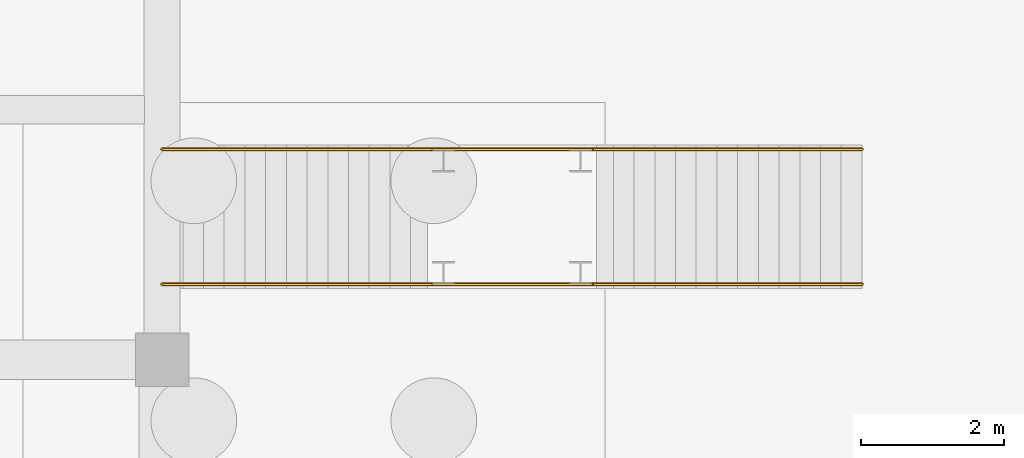
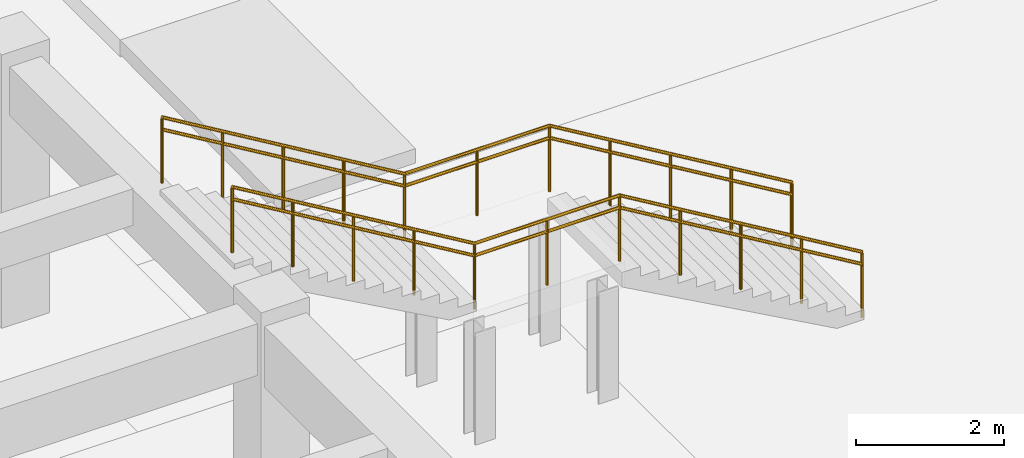
# One storey, part 83 of 84: 4 railings.
"""IFC4 building model written with IfcOpenShell, lengths in metres."""

from ifc_helpers import new_model, si_unit, direction, frame, origin, origin_2d, place, context, subcontext, project, spatial, circle, extrude, material, type_object, element, save


model = new_model("IFC4")

# Units and contexts
model_context = context("Model", 3, precision=1e-05, world=origin(), true_north=direction((0.0, 1.0)))
body_context = subcontext(model_context, "Body", "Model", "MODEL_VIEW")
ifc_project = project(units=[si_unit("LENGTHUNIT", "METRE"), si_unit("AREAUNIT", "SQUARE_METRE"), si_unit("VOLUMEUNIT", "CUBIC_METRE"), si_unit("PLANEANGLEUNIT", "RADIAN"), si_unit("MASSUNIT", "GRAM", prefix="KILO")], contexts=[model_context])

# Site, building, storey
site_placement = place(None, origin())
site = spatial("IfcSite", under=ifc_project, at=site_placement, CompositionType="ELEMENT")
building_placement = place(site_placement, origin())
building = spatial("IfcBuilding", under=site, at=building_placement, Name="Larkveld Mobility Hub", CompositionType="ELEMENT")
storey_placement = place(building_placement, origin())
storey = spatial("IfcBuildingStorey", under=building, at=storey_placement, Name="L00", CompositionType="ELEMENT", Elevation=0.0)

# Railings
ifc_material_1 = material(Name="Galvanized Steel S355JR balustrade", Category="steel")
railing_type_1 = type_object("IfcRailingType", Name="RL-GRD-1100", PredefinedType="GUARDRAIL", material=ifc_material_1)
railing_1_placement = place(storey_placement, frame((161.800048828125, 107.945068359375, 0.0)))
element("IfcRailing", 1, at=railing_1_placement, inside=storey, type_object=railing_type_1, Name="Taxi Concourse North Straight Stair FS6 Guard L", PredefinedType="GUARDRAIL", context=body_context, shape_type="SweptSolid", body=[
    extrude(circle(Radius=0.02392578125, at=origin_2d()), frame((0.0, 0.0, 1.076171875), z_axis=(-0.858697585051, 0.0, 0.512482641098), x_axis=(0.0, -1.0, 0.0)), (0.0, 0.0, 1.0), 4.390380859375),
    extrude(circle(Radius=0.02392578125, at=origin_2d()), frame((-3.77001953125, 0.0, 3.326171875), z_axis=(-1.0, 0.0, 0.0), x_axis=(0.0, -1.0, 0.0)), (0.0, 0.0, 1.0), 2.260009765625),
    extrude(circle(Radius=0.02392578125, at=origin_2d()), frame((-6.030029296875, 0.0, 3.326171875), z_axis=(-0.858697585051, 0.0, 0.512482641098), x_axis=(0.0, -1.0, 0.0)), (0.0, 0.0, 1.0), 4.390380859375),
    extrude(circle(Radius=0.02099609375, at=origin_2d()), origin(), (0.0, 0.0, 1.0), 1.052001953125),
    extrude(circle(Radius=0.02099609375, at=origin_2d()), frame((-0.9423828125, 0.0, 0.5625)), (0.0, 0.0, 1.0), 1.052001953125),
    extrude(circle(Radius=0.02099609375, at=origin_2d()), frame((-1.885009765625, 0.0, 1.125)), (0.0, 0.0, 1.0), 1.052001953125),
    extrude(circle(Radius=0.02099609375, at=origin_2d()), frame((-2.82763671875, 0.0, 1.6875)), (0.0, 0.0, 1.0), 1.052001953125),
    extrude(circle(Radius=0.02099609375, at=origin_2d()), frame((-3.77001953125, 0.0, 2.25)), (0.0, 0.0, 1.0), 1.052001953125),
    extrude(circle(Radius=0.02099609375, at=origin_2d()), frame((-4.89990234375, 0.0, 2.25)), (0.0, 0.0, 1.0), 1.052001953125),
    extrude(circle(Radius=0.02099609375, at=origin_2d()), frame((-6.030029296875, 0.0, 2.25)), (0.0, 0.0, 1.0), 1.052001953125),
    extrude(circle(Radius=0.02099609375, at=origin_2d()), frame((-6.97265625, 0.0, 2.8125)), (0.0, 0.0, 1.0), 1.052001953125),
    extrude(circle(Radius=0.02099609375, at=origin_2d()), frame((-7.9150390625, 0.0, 3.375)), (0.0, 0.0, 1.0), 1.052001953125),
    extrude(circle(Radius=0.02099609375, at=origin_2d()), frame((-8.857421875, 0.0, 3.9375)), (0.0, 0.0, 1.0), 1.052001953125),
    extrude(circle(Radius=0.02099609375, at=origin_2d()), frame((-9.800048828125, 0.0, 4.5)), (0.0, 0.0, 1.0), 1.052001953125),
])
railing_2_placement = place(storey_placement, frame((161.800048828125, 106.054931640625, 0.0)))
element("IfcRailing", 2, at=railing_2_placement, inside=storey, type_object=railing_type_1, Name="Taxi Concourse North Straight Stair FS6 Guard R", PredefinedType="GUARDRAIL", context=body_context, shape_type="SweptSolid", body=[
    extrude(circle(Radius=0.02392578125, at=origin_2d()), frame((0.0, 0.0, 1.076171875), z_axis=(-0.858697585051, 0.0, 0.512482641098), x_axis=(0.0, -1.0, 0.0)), (0.0, 0.0, 1.0), 4.390380859375),
    extrude(circle(Radius=0.02392578125, at=origin_2d()), frame((-3.77001953125, 0.0, 3.326171875), z_axis=(-1.0, 0.0, 0.0), x_axis=(0.0, -1.0, 0.0)), (0.0, 0.0, 1.0), 2.260009765625),
    extrude(circle(Radius=0.02392578125, at=origin_2d()), frame((-6.030029296875, 0.0, 3.326171875), z_axis=(-0.858697585051, 0.0, 0.512482641098), x_axis=(0.0, -1.0, 0.0)), (0.0, 0.0, 1.0), 4.390380859375),
    extrude(circle(Radius=0.02099609375, at=origin_2d()), origin(), (0.0, 0.0, 1.0), 1.052001953125),
    extrude(circle(Radius=0.02099609375, at=origin_2d()), frame((-0.9423828125, 0.0, 0.5625)), (0.0, 0.0, 1.0), 1.052001953125),
    extrude(circle(Radius=0.02099609375, at=origin_2d()), frame((-1.885009765625, 0.0, 1.125)), (0.0, 0.0, 1.0), 1.052001953125),
    extrude(circle(Radius=0.02099609375, at=origin_2d()), frame((-2.82763671875, 0.0, 1.6875)), (0.0, 0.0, 1.0), 1.052001953125),
    extrude(circle(Radius=0.02099609375, at=origin_2d()), frame((-3.77001953125, 0.0, 2.25)), (0.0, 0.0, 1.0), 1.052001953125),
    extrude(circle(Radius=0.02099609375, at=origin_2d()), frame((-4.89990234375, 0.0, 2.25)), (0.0, 0.0, 1.0), 1.052001953125),
    extrude(circle(Radius=0.02099609375, at=origin_2d()), frame((-6.030029296875, 0.0, 2.25)), (0.0, 0.0, 1.0), 1.052001953125),
    extrude(circle(Radius=0.02099609375, at=origin_2d()), frame((-6.97265625, 0.0, 2.8125)), (0.0, 0.0, 1.0), 1.052001953125),
    extrude(circle(Radius=0.02099609375, at=origin_2d()), frame((-7.9150390625, 0.0, 3.375)), (0.0, 0.0, 1.0), 1.052001953125),
    extrude(circle(Radius=0.02099609375, at=origin_2d()), frame((-8.857421875, 0.0, 3.9375)), (0.0, 0.0, 1.0), 1.052001953125),
    extrude(circle(Radius=0.02099609375, at=origin_2d()), frame((-9.800048828125, 0.0, 4.5)), (0.0, 0.0, 1.0), 1.052001953125),
])
ifc_material_2 = material(Name="Brushed Steel S355JR tubular handrail", Category="steel")
railing_type_2 = type_object("IfcRailingType", Name="RL-HND-0900", PredefinedType="HANDRAIL", material=ifc_material_2)
railing_3_placement = place(storey_placement, frame((161.800048828125, 107.945068359375, 0.0)))
element("IfcRailing", 3, at=railing_3_placement, inside=storey, type_object=railing_type_2, Name="Taxi Concourse North Straight Stair FS6 Handrail L", PredefinedType="HANDRAIL", context=body_context, shape_type="SweptSolid", body=[
    extrude(circle(Radius=0.02392578125, at=origin_2d()), frame((0.0, 0.0, 0.8759765625), z_axis=(-0.858697585051, 0.0, 0.512482641098), x_axis=(0.0, -1.0, 0.0)), (0.0, 0.0, 1.0), 4.390380859375),
    extrude(circle(Radius=0.02392578125, at=origin_2d()), frame((-3.77001953125, 0.0, 3.1259765625), z_axis=(-1.0, 0.0, 0.0), x_axis=(0.0, -1.0, 0.0)), (0.0, 0.0, 1.0), 2.260009765625),
    extrude(circle(Radius=0.02392578125, at=origin_2d()), frame((-6.030029296875, 0.0, 3.1259765625), z_axis=(-0.858697585051, 0.0, 0.512482641098), x_axis=(0.0, -1.0, 0.0)), (0.0, 0.0, 1.0), 4.390380859375),
    extrude(circle(Radius=0.02099609375, at=origin_2d()), origin(), (0.0, 0.0, 1.0), 0.851806640625),
    extrude(circle(Radius=0.02099609375, at=origin_2d()), frame((-0.9423828125, 0.0, 0.5625)), (0.0, 0.0, 1.0), 0.851806640625),
    extrude(circle(Radius=0.02099609375, at=origin_2d()), frame((-1.885009765625, 0.0, 1.125)), (0.0, 0.0, 1.0), 0.851806640625),
    extrude(circle(Radius=0.02099609375, at=origin_2d()), frame((-2.82763671875, 0.0, 1.6875)), (0.0, 0.0, 1.0), 0.851806640625),
    extrude(circle(Radius=0.02099609375, at=origin_2d()), frame((-3.77001953125, 0.0, 2.25)), (0.0, 0.0, 1.0), 0.851806640625),
    extrude(circle(Radius=0.02099609375, at=origin_2d()), frame((-4.89990234375, 0.0, 2.25)), (0.0, 0.0, 1.0), 0.851806640625),
    extrude(circle(Radius=0.02099609375, at=origin_2d()), frame((-6.030029296875, 0.0, 2.25)), (0.0, 0.0, 1.0), 0.851806640625),
    extrude(circle(Radius=0.02099609375, at=origin_2d()), frame((-6.97265625, 0.0, 2.8125)), (0.0, 0.0, 1.0), 0.851806640625),
    extrude(circle(Radius=0.02099609375, at=origin_2d()), frame((-7.9150390625, 0.0, 3.375)), (0.0, 0.0, 1.0), 0.851806640625),
    extrude(circle(Radius=0.02099609375, at=origin_2d()), frame((-8.857421875, 0.0, 3.9375)), (0.0, 0.0, 1.0), 0.851806640625),
    extrude(circle(Radius=0.02099609375, at=origin_2d()), frame((-9.800048828125, 0.0, 4.5)), (0.0, 0.0, 1.0), 0.851806640625),
])
railing_4_placement = place(storey_placement, frame((161.800048828125, 106.054931640625, 0.0)))
element("IfcRailing", 4, at=railing_4_placement, inside=storey, type_object=railing_type_2, Name="Taxi Concourse North Straight Stair FS6 Handrail R", PredefinedType="HANDRAIL", context=body_context, shape_type="SweptSolid", body=[
    extrude(circle(Radius=0.02392578125, at=origin_2d()), frame((0.0, 0.0, 0.8759765625), z_axis=(-0.858697585051, 0.0, 0.512482641098), x_axis=(0.0, -1.0, 0.0)), (0.0, 0.0, 1.0), 4.390380859375),
    extrude(circle(Radius=0.02392578125, at=origin_2d()), frame((-3.77001953125, 0.0, 3.1259765625), z_axis=(-1.0, 0.0, 0.0), x_axis=(0.0, -1.0, 0.0)), (0.0, 0.0, 1.0), 2.260009765625),
    extrude(circle(Radius=0.02392578125, at=origin_2d()), frame((-6.030029296875, 0.0, 3.1259765625), z_axis=(-0.858697585051, 0.0, 0.512482641098), x_axis=(0.0, -1.0, 0.0)), (0.0, 0.0, 1.0), 4.390380859375),
    extrude(circle(Radius=0.02099609375, at=origin_2d()), origin(), (0.0, 0.0, 1.0), 0.851806640625),
    extrude(circle(Radius=0.02099609375, at=origin_2d()), frame((-0.9423828125, 0.0, 0.5625)), (0.0, 0.0, 1.0), 0.851806640625),
    extrude(circle(Radius=0.02099609375, at=origin_2d()), frame((-1.885009765625, 0.0, 1.125)), (0.0, 0.0, 1.0), 0.851806640625),
    extrude(circle(Radius=0.02099609375, at=origin_2d()), frame((-2.82763671875, 0.0, 1.6875)), (0.0, 0.0, 1.0), 0.851806640625),
    extrude(circle(Radius=0.02099609375, at=origin_2d()), frame((-3.77001953125, 0.0, 2.25)), (0.0, 0.0, 1.0), 0.851806640625),
    extrude(circle(Radius=0.02099609375, at=origin_2d()), frame((-4.89990234375, 0.0, 2.25)), (0.0, 0.0, 1.0), 0.851806640625),
    extrude(circle(Radius=0.02099609375, at=origin_2d()), frame((-6.030029296875, 0.0, 2.25)), (0.0, 0.0, 1.0), 0.851806640625),
    extrude(circle(Radius=0.02099609375, at=origin_2d()), frame((-6.97265625, 0.0, 2.8125)), (0.0, 0.0, 1.0), 0.851806640625),
    extrude(circle(Radius=0.02099609375, at=origin_2d()), frame((-7.9150390625, 0.0, 3.375)), (0.0, 0.0, 1.0), 0.851806640625),
    extrude(circle(Radius=0.02099609375, at=origin_2d()), frame((-8.857421875, 0.0, 3.9375)), (0.0, 0.0, 1.0), 0.851806640625),
    extrude(circle(Radius=0.02099609375, at=origin_2d()), frame((-9.800048828125, 0.0, 4.5)), (0.0, 0.0, 1.0), 0.851806640625),
])

save(model, "model.ifc")
